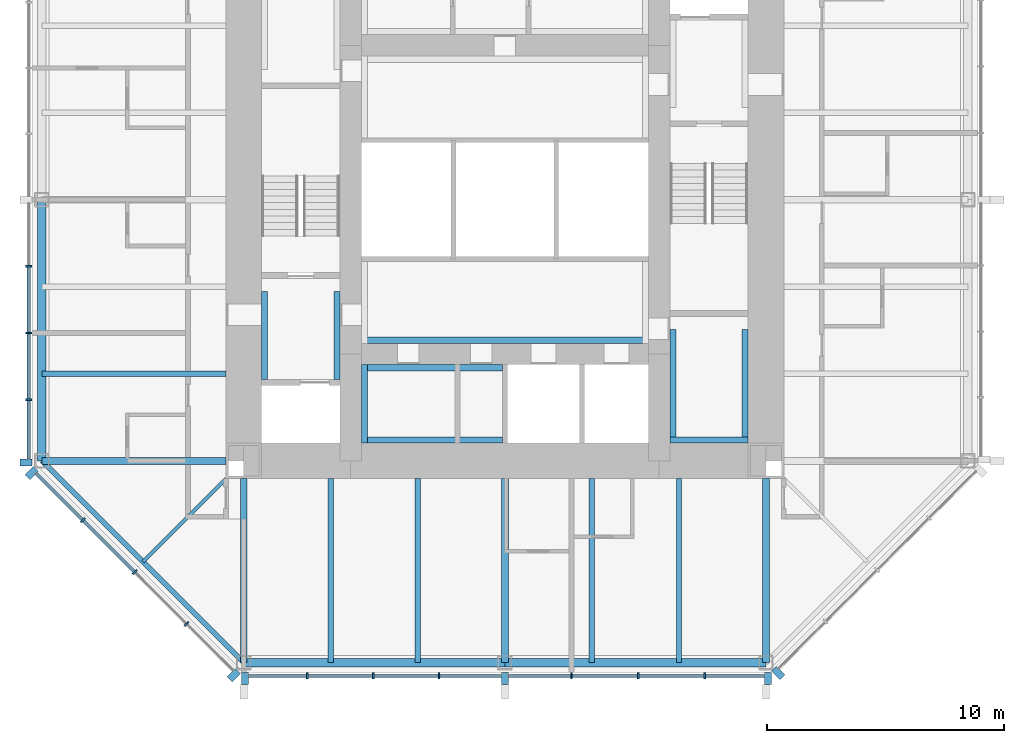
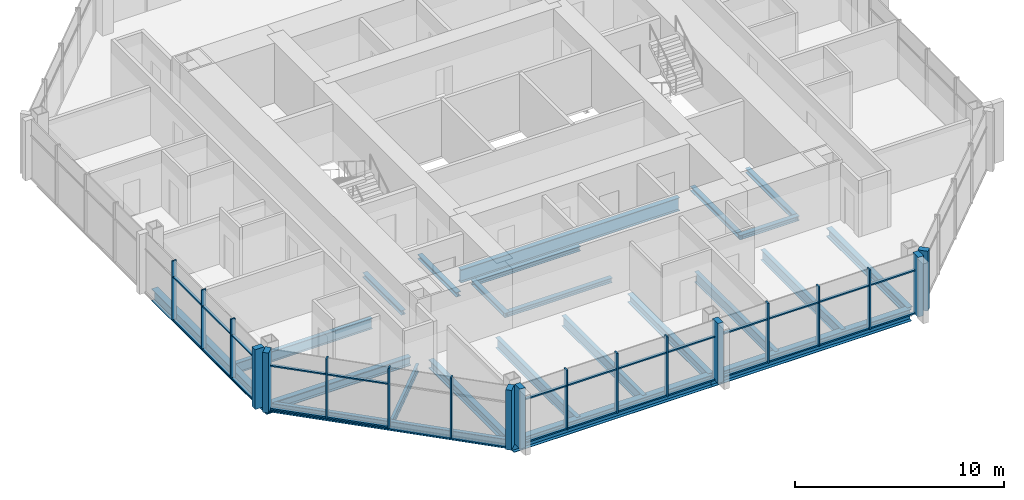
# One storey, part 2 of 11: 45 members, 23 beams, 4 elements without a shape of their own.
"""IFC4 building model written with IfcOpenShell, lengths in metres."""

import ifcopenshell
import ifcopenshell.guid

model = None  # the IFC model being written
_history = None  # IfcOwnerHistory: only IFC2X3 demands one
_inside = {}  # id of a spatial element -> (the spatial element, [elements in it])
_under = {}  # id of a project, library or spatial element -> (it, [spatial elements below it])
_declared = {}  # id of a project -> (the project, [libraries it declares])
_typed = {}  # id of a type object -> (the type object, [elements of that type])
_made_of = {}  # id of a material, layer set ... -> (it, [elements and type objects made of it])


def new_model(schema):
    """Start an empty IFC model of exactly this schema.

    Asked for "IFC4X3", IfcOpenShell would pick the latest addendum, in which some entities
    have other attributes; the version numbers below select the first issue.
    IFC2X3 requires an IfcOwnerHistory on every rooted entity: one is made here for all.
    """
    global model, _history
    if schema == "IFC4X3":
        model = ifcopenshell.file(schema_version=(4, 3, 0, 0))
    else:
        model = ifcopenshell.file(schema=schema)
    _inside.clear()
    _under.clear()
    _declared.clear()
    _typed.clear()
    _made_of.clear()
    _history = None
    if model.schema == "IFC2X3":
        org = make("IfcOrganization", Name="unknown")
        user = make(
            "IfcPersonAndOrganization",
            ThePerson=make("IfcPerson", FamilyName="unknown"),
            TheOrganization=org,
        )
        app = make(
            "IfcApplication",
            ApplicationDeveloper=org,
            Version="unknown",
            ApplicationFullName="unknown",
            ApplicationIdentifier="unknown",
        )
        _history = make(
            "IfcOwnerHistory",
            OwningUser=user,
            OwningApplication=app,
            ChangeAction="ADDED",
            CreationDate=0,
        )
    return model


def make(cls, **values):
    """One entity of the class cls with the attributes given. An attribute that is None is left unset."""
    return model.create_entity(
        cls, **{name: value for name, value in values.items() if value is not None}
    )


def rooted(cls, **values):
    """An entity with a GlobalId (a new one), such as an element, a storey or a relation."""
    return make(cls, GlobalId=ifcopenshell.guid.new(), OwnerHistory=_history, **values)


def si_unit(unit_type, name, prefix=None):
    """IfcSIUnit, for example si_unit("LENGTHUNIT", "METRE", prefix="MILLI")."""
    return make("IfcSIUnit", UnitType=unit_type, Prefix=prefix, Name=name)


def assignment(units):
    """IfcUnitAssignment: the units of a project."""
    return None if units is None else make("IfcUnitAssignment", Units=units)


def point(xyz):
    """IfcCartesianPoint."""
    return None if xyz is None else make("IfcCartesianPoint", Coordinates=xyz)


def direction(xyz):
    """IfcDirection."""
    return None if xyz is None else make("IfcDirection", DirectionRatios=xyz)


def frame(location, z_axis=None, x_axis=None):
    """IfcAxis2Placement3D, a coordinate frame: its origin and axes. An axis left out is left unset."""
    return make(
        "IfcAxis2Placement3D",
        Location=point(location),
        Axis=direction(z_axis),
        RefDirection=direction(x_axis),
    )


def frame_2d(location, x_axis=None):
    """IfcAxis2Placement2D, a coordinate frame in the plane: its origin and x axis."""
    return make(
        "IfcAxis2Placement2D", Location=point(location), RefDirection=direction(x_axis)
    )


def origin():
    """The frame at (0, 0, 0) with its axes left unset."""
    return frame((0.0, 0.0, 0.0))


def origin_2d():
    """The frame at (0, 0) in the plane with its x axis left unset."""
    return frame_2d((0.0, 0.0))


def place(relative_to, where):
    """IfcLocalPlacement: puts the frame where relative to a parent placement (None: the world)."""
    return make(
        "IfcLocalPlacement", PlacementRelTo=relative_to, RelativePlacement=where
    )


def context(
    kind, dimensions, precision=None, world=None, true_north=None, identifier=None
):
    """IfcGeometricRepresentationContext, for example the 3D "Model" context."""
    return make(
        "IfcGeometricRepresentationContext",
        ContextIdentifier=identifier,
        ContextType=kind,
        CoordinateSpaceDimension=dimensions,
        Precision=precision,
        WorldCoordinateSystem=world,
        TrueNorth=true_north,
    )


def subcontext(parent, identifier, kind, view, scale=None):
    """IfcGeometricRepresentationSubContext, for example "Body" below "Model"."""
    return make(
        "IfcGeometricRepresentationSubContext",
        ContextIdentifier=identifier,
        ContextType=kind,
        ParentContext=parent,
        TargetScale=scale,
        TargetView=view,
    )


def project(units=None, contexts=None):
    """IfcProject with its units and contexts."""
    return rooted(
        "IfcProject",
        Name="project",
        RepresentationContexts=contexts,
        UnitsInContext=assignment(units),
    )


def spatial(cls, under=None, at=None, **own):
    """A site, building, storey or space (cls), placed at a placement, below another one or the project."""
    s = rooted(cls, ObjectPlacement=at, **own)
    if under is not None:
        _under.setdefault(under.id(), (under, []))[1].append(s)
    return s


def profile(cls, at=None, kind="AREA", **sizes):
    """A parametric profile (cls). Its sizes go by their IFC names, for example OverallWidth=200.0."""
    return make(cls, ProfileType=kind, Position=at, **sizes)


def rectangle(**sizes):
    """IfcRectangleProfileDef."""
    return profile("IfcRectangleProfileDef", **sizes)


def i_section(**sizes):
    """IfcIShapeProfileDef."""
    return profile("IfcIShapeProfileDef", **sizes)


def extrude(swept, where, along, depth):
    """IfcExtrudedAreaSolid: the profile swept, set in the frame where, extruded along a direction by depth."""
    return make(
        "IfcExtrudedAreaSolid",
        SweptArea=swept,
        Position=where,
        ExtrudedDirection=direction(along),
        Depth=depth,
    )


def shape(context_of_items, identifier, shape_type, items):
    """IfcShapeRepresentation: the items that make up one representation, for example the "Body"."""
    return make(
        "IfcShapeRepresentation",
        ContextOfItems=context_of_items,
        RepresentationIdentifier=identifier,
        RepresentationType=shape_type,
        Items=items,
    )


def material(Name=None, Category=None):
    """IfcMaterial."""
    return make("IfcMaterial", Name=Name, Category=Category)


def material_profile(
    of_material, cross_section, Name=None, Category=None, Priority=None
):
    """IfcMaterialProfile: a cross section and its material."""
    return make(
        "IfcMaterialProfile",
        Name=Name,
        Material=of_material,
        Profile=cross_section,
        Priority=Priority,
        Category=Category,
    )


def profile_set(profiles, Name=None, composite=None):
    """IfcMaterialProfileSet."""
    return make(
        "IfcMaterialProfileSet",
        Name=Name,
        MaterialProfiles=profiles,
        CompositeProfile=composite,
    )


def made_of(thing, what):
    """Note that an element or type object is made of a material, layer set ...; save() writes the relation."""
    if what is not None:
        _made_of.setdefault(what.id(), (what, []))[1].append(thing)
    return thing


def type_object(cls, material=None, **own):
    """A type object (cls), such as IfcWallType, which elements share."""
    return made_of(rooted(cls, **own), material)


def element(
    cls,
    number,
    at=None,
    inside=None,
    cuts=None,
    type_object=None,
    material=None,
    context=None,
    identifier="Body",
    shape_type=None,
    held_by="IfcProductDefinitionShape",
    body=None,
    shapes=None,
    **own,
):
    """One element of the class cls, such as IfcWall. Its Tag is "e" and its number.

    at: its placement. inside: the storey or other place that contains it. cuts: it is an
    opening in that element (IfcRelVoidsElement). A single representation is given by context,
    identifier, shape_type and body (its items); several are given by shapes. held_by: the class
    of the entity that holds the representations. save() writes the other relations.
    """
    e = rooted(cls, Tag="e%d" % number, ObjectPlacement=at, **own)
    if body is not None:
        shapes = [shape(context, identifier, shape_type, body)]
    if shapes is not None:
        e.Representation = make(held_by, Representations=shapes)
    if inside is not None:
        _inside.setdefault(inside.id(), (inside, []))[1].append(e)
    if cuts is not None:
        rooted(
            "IfcRelVoidsElement", RelatingBuildingElement=cuts, RelatedOpeningElement=e
        )
    if type_object is not None:
        _typed.setdefault(type_object.id(), (type_object, []))[1].append(e)
    return made_of(e, material)


def aggregate(whole, parts):
    """IfcRelAggregates: a whole, such as a stair, and the parts it consists of."""
    return rooted("IfcRelAggregates", RelatingObject=whole, RelatedObjects=parts)


def save(model, path):
    """Write the relations noted so far, then the file.

    IfcRelAggregates (storeys below a building ...), IfcRelContainedInSpatialStructure (elements
    in a storey), IfcRelDefinesByType, IfcRelAssociatesMaterial and IfcRelDeclares: one each for
    every whole, place, type object, material and project.
    """
    for whole, parts in _under.values():
        aggregate(whole, parts)
    for where, things in _inside.values():
        rooted(
            "IfcRelContainedInSpatialStructure",
            RelatedElements=things,
            RelatingStructure=where,
        )
    for kind, things in _typed.values():
        rooted("IfcRelDefinesByType", RelatedObjects=things, RelatingType=kind)
    for what, things in _made_of.values():
        rooted("IfcRelAssociatesMaterial", RelatedObjects=things, RelatingMaterial=what)
    for by, libraries in _declared.values():
        rooted("IfcRelDeclares", RelatingContext=by, RelatedDefinitions=libraries)
    model.write(path)


model = new_model("IFC4")

# Units and contexts
model_context = context("Model", 3, precision=1e-05, world=origin(), true_north=direction((0.0, 1.0)))
body_context = subcontext(model_context, "Body", "Model", "MODEL_VIEW")
ifc_project = project(units=[si_unit("LENGTHUNIT", "METRE"), si_unit("AREAUNIT", "SQUARE_METRE"), si_unit("VOLUMEUNIT", "CUBIC_METRE"), si_unit("PLANEANGLEUNIT", "RADIAN"), si_unit("MASSUNIT", "GRAM", prefix="KILO")], contexts=[model_context])

# Site, building, storey
site_placement = place(None, origin())
site = spatial("IfcSite", under=ifc_project, at=site_placement, CompositionType="ELEMENT")
building_placement = place(site_placement, origin())
building = spatial("IfcBuilding", under=site, at=building_placement, Name="Trevanion Tower", CompositionType="ELEMENT")
storey_placement = place(building_placement, frame((0.0, 0.0, 246.699951171875)))
storey = spatial("IfcBuildingStorey", under=building, at=storey_placement, Name="L60", CompositionType="ELEMENT", Elevation=246.699951171875)

# Beams
ifc_material_1 = material(Name="Steel ASTM A992 Grade 50", Category="steel")
ifc_material_profile_1 = material_profile(ifc_material_1, i_section(OverallWidth=0.228271484375, OverallDepth=0.607177734375, WebThickness=0.01123046875, FlangeThickness=0.017333984375, at=origin_2d()), Name="W24X76")
ifc_profile_set_1 = profile_set([ifc_material_profile_1], Name="Steel ASTM A992 Grade 50")
beam_type_1 = type_object("IfcBeamType", Name="B11 W24X76", PredefinedType="BEAM", material=ifc_profile_set_1)
for number, where, z_axis, x_axis, name in (
    (1, (-11.75, -7.333251953125, -0.493408203125), (-1.0, 0.0, 0.0), (0.0, -1.0, 0.0), "B11 L60"),
    (2, (-7.333251953125, -11.75, -0.493408203125), (0.0, -1.0, 0.0), (1.0, 0.0, 0.0), "B11 L60"),
    (3, (-3.666748046875, -11.75, -0.493408203125), (0.0, -1.0, 0.0), (1.0, 0.0, 0.0), "B11 L60"),
    (4, (3.666748046875, -11.75, -0.493408203125), (0.0, -1.0, 0.0), (1.0, 0.0, 0.0), "B11 L60"),
    (5, (7.333251953125, -11.75, -0.493408203125), (0.0, -1.0, 0.0), (1.0, 0.0, 0.0), "B11 L60"),
):
    element("IfcBeam", number, at=place(storey_placement, frame(where, z_axis=z_axis, x_axis=x_axis)), inside=storey, type_object=beam_type_1, Name=name, PredefinedType="BEAM", context=body_context, shape_type="SweptSolid", body=[
        extrude(i_section(OverallWidth=0.228271484375, OverallDepth=0.607177734375, WebThickness=0.01123046875, FlangeThickness=0.017333984375, at=origin_2d()), origin(), (0.0, 0.0, 1.0), 7.75),
    ])
ifc_material_2 = material(Name="Steel ASTM A992 Grade 50", Category="steel")
ifc_material_profile_2 = material_profile(ifc_material_2, i_section(OverallWidth=0.15234375, OverallDepth=0.449462890625, WebThickness=0.007568359375, FlangeThickness=0.0107421875, at=origin_2d()), Name="W18X35")
ifc_profile_set_2 = profile_set([ifc_material_profile_2], Name="Steel ASTM A992 Grade 50")
beam_type_2 = type_object("IfcBeamType", Name="B12 W18X35", PredefinedType="BEAM", material=ifc_profile_set_2)
beam_1_placement = place(storey_placement, frame((-11.75, -11.75, -0.414794921875), z_axis=(-0.707106781187, -0.707106781187, 0.0), x_axis=(0.707106781187, -0.707106781187, 0.0)))
element("IfcBeam", 6, at=beam_1_placement, inside=storey, type_object=beam_type_2, Name="B12 L60", PredefinedType="BEAM", context=body_context, shape_type="SweptSolid", body=[
    extrude(i_section(OverallWidth=0.15234375, OverallDepth=0.449462890625, WebThickness=0.007568359375, FlangeThickness=0.0107421875, at=origin_2d()), origin(), (0.0, 0.0, 1.0), 4.94970703125),
])

# Curtain wall, members
ifc_material_3 = material(Name="Aluminium and glass", Category="aluminium")
curtain_wall_type = type_object("IfcCurtainWallType", Name="CW3 curtain wall", PredefinedType="USERDEFINED", material=ifc_material_3)
curtain_wall_1_placement = place(storey_placement, origin())
curtain_wall_1 = element("IfcCurtainWall", 7, at=curtain_wall_1_placement, inside=storey, type_object=curtain_wall_type, Name="CW3 L60 4", ObjectType="UNITISED CURTAIN WALL", PredefinedType="USERDEFINED")
ifc_material_4 = material(Name="Aluminium extrusion, anodised bronze", Category="aluminium")
ifc_material_profile_3 = material_profile(ifc_material_4, rectangle(XDim=0.074951171875, YDim=0.25, at=origin_2d()), Name="CW3 mullion")
ifc_profile_set_3 = profile_set([ifc_material_profile_3], Name="Aluminium extrusion, anodised bronze")
member_type_1 = type_object("IfcMemberType", Name="CW3 mullion", PredefinedType="MULLION", material=ifc_profile_set_3)
member_1_placement = place(storey_placement, frame((-20.050048828125, -2.806884765625, -0.18994140625), z_axis=(0.0, 0.0, 1.0), x_axis=(0.0, -1.0, 0.0)))
member_1 = element("IfcMember", 8, at=member_1_placement, type_object=member_type_1, Name="CW3 mullion 6", PredefinedType="MULLION", context=body_context, shape_type="SweptSolid", body=[
    extrude(rectangle(XDim=0.074951171875, YDim=0.25, at=origin_2d()), origin(), (0.0, 0.0, 1.0), 3.5),
])
member_2_placement = place(storey_placement, frame((-20.050048828125, -5.614013671875, -0.18994140625), z_axis=(0.0, 0.0, 1.0), x_axis=(0.0, -1.0, 0.0)))
member_2 = element("IfcMember", 9, at=member_2_placement, type_object=member_type_1, Name="CW3 mullion 7", PredefinedType="MULLION", context=body_context, shape_type="SweptSolid", body=[
    extrude(rectangle(XDim=0.074951171875, YDim=0.25, at=origin_2d()), origin(), (0.0, 0.0, 1.0), 3.5),
])
member_3_placement = place(storey_placement, frame((-20.050048828125, -8.4208984375, -0.18994140625), z_axis=(0.0, 0.0, 1.0), x_axis=(0.0, -1.0, 0.0)))
member_3 = element("IfcMember", 10, at=member_3_placement, type_object=member_type_1, Name="CW3 mullion 8", PredefinedType="MULLION", context=body_context, shape_type="SweptSolid", body=[
    extrude(rectangle(XDim=0.074951171875, YDim=0.25, at=origin_2d()), origin(), (0.0, 0.0, 1.0), 3.5),
])

curtain_wall_2_placement = place(storey_placement, origin())
curtain_wall_2 = element("IfcCurtainWall", 11, at=curtain_wall_2_placement, inside=storey, type_object=curtain_wall_type, Name="CW3 L60 5", ObjectType="UNITISED CURTAIN WALL", PredefinedType="USERDEFINED")
member_4_placement = place(storey_placement, frame((-17.775390625, -13.502197265625, -0.18994140625), z_axis=(0.0, 0.0, 1.0), x_axis=(0.707106781187, -0.707106781187, 0.0)))
member_4 = element("IfcMember", 12, at=member_4_placement, type_object=member_type_1, Name="CW3 mullion 2", PredefinedType="MULLION", context=body_context, shape_type="SweptSolid", body=[
    extrude(rectangle(XDim=0.074951171875, YDim=0.25, at=origin_2d()), origin(), (0.0, 0.0, 1.0), 3.5),
])
member_5_placement = place(storey_placement, frame((-15.593017578125, -15.684814453125, -0.18994140625), z_axis=(0.0, 0.0, 1.0), x_axis=(0.707106781187, -0.707106781187, 0.0)))
member_5 = element("IfcMember", 13, at=member_5_placement, type_object=member_type_1, Name="CW3 mullion 3", PredefinedType="MULLION", context=body_context, shape_type="SweptSolid", body=[
    extrude(rectangle(XDim=0.074951171875, YDim=0.25, at=origin_2d()), origin(), (0.0, 0.0, 1.0), 3.5),
])
member_6_placement = place(storey_placement, frame((-13.410400390625, -17.867431640625, -0.18994140625), z_axis=(0.0, 0.0, 1.0), x_axis=(0.707106781187, -0.707106781187, 0.0)))
member_6 = element("IfcMember", 14, at=member_6_placement, type_object=member_type_1, Name="CW3 mullion 4", PredefinedType="MULLION", context=body_context, shape_type="SweptSolid", body=[
    extrude(rectangle(XDim=0.074951171875, YDim=0.25, at=origin_2d()), origin(), (0.0, 0.0, 1.0), 3.5),
])

curtain_wall_3_placement = place(storey_placement, origin())
curtain_wall_3 = element("IfcCurtainWall", 15, at=curtain_wall_3_placement, inside=storey, type_object=curtain_wall_type, Name="CW3 L60 6", ObjectType="UNITISED CURTAIN WALL", PredefinedType="USERDEFINED")
member_7_placement = place(storey_placement, frame((-8.323486328125, -20.050048828125, -0.18994140625), z_axis=(0.0, 0.0, 1.0), x_axis=(1.0, 0.0, 0.0)))
member_7 = element("IfcMember", 16, at=member_7_placement, type_object=member_type_1, Name="CW3 mullion 2", PredefinedType="MULLION", context=body_context, shape_type="SweptSolid", body=[
    extrude(rectangle(XDim=0.074951171875, YDim=0.25, at=origin_2d()), origin(), (0.0, 0.0, 1.0), 3.5),
])
member_8_placement = place(storey_placement, frame((-5.548828125, -20.050048828125, -0.18994140625), z_axis=(0.0, 0.0, 1.0), x_axis=(1.0, 0.0, 0.0)))
member_8 = element("IfcMember", 17, at=member_8_placement, type_object=member_type_1, Name="CW3 mullion 3", PredefinedType="MULLION", context=body_context, shape_type="SweptSolid", body=[
    extrude(rectangle(XDim=0.074951171875, YDim=0.25, at=origin_2d()), origin(), (0.0, 0.0, 1.0), 3.5),
])
member_9_placement = place(storey_placement, frame((-2.7744140625, -20.050048828125, -0.18994140625), z_axis=(0.0, 0.0, 1.0), x_axis=(1.0, 0.0, 0.0)))
member_9 = element("IfcMember", 18, at=member_9_placement, type_object=member_type_1, Name="CW3 mullion 4", PredefinedType="MULLION", context=body_context, shape_type="SweptSolid", body=[
    extrude(rectangle(XDim=0.074951171875, YDim=0.25, at=origin_2d()), origin(), (0.0, 0.0, 1.0), 3.5),
])
member_10_placement = place(storey_placement, frame((2.806884765625, -20.050048828125, -0.18994140625), z_axis=(0.0, 0.0, 1.0), x_axis=(1.0, 0.0, 0.0)))
member_10 = element("IfcMember", 19, at=member_10_placement, type_object=member_type_1, Name="CW3 mullion 6", PredefinedType="MULLION", context=body_context, shape_type="SweptSolid", body=[
    extrude(rectangle(XDim=0.074951171875, YDim=0.25, at=origin_2d()), origin(), (0.0, 0.0, 1.0), 3.5),
])
member_11_placement = place(storey_placement, frame((5.614013671875, -20.050048828125, -0.18994140625), z_axis=(0.0, 0.0, 1.0), x_axis=(1.0, 0.0, 0.0)))
member_11 = element("IfcMember", 20, at=member_11_placement, type_object=member_type_1, Name="CW3 mullion 7", PredefinedType="MULLION", context=body_context, shape_type="SweptSolid", body=[
    extrude(rectangle(XDim=0.074951171875, YDim=0.25, at=origin_2d()), origin(), (0.0, 0.0, 1.0), 3.5),
])
member_12_placement = place(storey_placement, frame((8.4208984375, -20.050048828125, -0.18994140625), z_axis=(0.0, 0.0, 1.0), x_axis=(1.0, 0.0, 0.0)))
member_12 = element("IfcMember", 21, at=member_12_placement, type_object=member_type_1, Name="CW3 mullion 8", PredefinedType="MULLION", context=body_context, shape_type="SweptSolid", body=[
    extrude(rectangle(XDim=0.074951171875, YDim=0.25, at=origin_2d()), origin(), (0.0, 0.0, 1.0), 3.5),
])

# Member
ifc_material_5 = material(Name="Aluminium extrusion, anodised bronze", Category="aluminium")
ifc_material_profile_4 = material_profile(ifc_material_5, rectangle(XDim=0.300048828125, YDim=0.5, at=origin_2d()), Name="CW3 pier mullion")
ifc_profile_set_4 = profile_set([ifc_material_profile_4], Name="Aluminium extrusion, anodised bronze")
member_type_2 = type_object("IfcMemberType", Name="CW3 pier mullion", PredefinedType="MULLION", material=ifc_profile_set_4)
member_13_placement = place(storey_placement, frame((-20.175048828125, -11.077880859375, -0.18994140625), z_axis=(0.0, 0.0, 1.0), x_axis=(0.0, -1.0, 0.0)))
member_13 = element("IfcMember", 22, at=member_13_placement, type_object=member_type_2, Name="CW3 pier mullion 9", PredefinedType="MULLION", context=body_context, shape_type="SweptSolid", body=[
    extrude(rectangle(XDim=0.300048828125, YDim=0.5, at=origin_2d()), origin(), (0.0, 0.0, 1.0), 3.5),
])

member_14_placement = place(storey_placement, frame((-19.9404296875, -11.51416015625, -0.18994140625), z_axis=(0.0, 0.0, 1.0), x_axis=(0.707106781187, -0.707106781187, 0.0)))
member_14 = element("IfcMember", 23, at=member_14_placement, type_object=member_type_2, Name="CW3 pier mullion 1", PredefinedType="MULLION", context=body_context, shape_type="SweptSolid", body=[
    extrude(rectangle(XDim=0.300048828125, YDim=0.5, at=origin_2d()), origin(), (0.0, 0.0, 1.0), 3.5),
])

member_15_placement = place(storey_placement, frame((-11.42236328125, -20.0322265625, -0.18994140625), z_axis=(0.0, 0.0, 1.0), x_axis=(0.707106781187, -0.707106781187, 0.0)))
member_15 = element("IfcMember", 24, at=member_15_placement, type_object=member_type_2, Name="CW3 pier mullion 5", PredefinedType="MULLION", context=body_context, shape_type="SweptSolid", body=[
    extrude(rectangle(XDim=0.300048828125, YDim=0.5, at=origin_2d()), origin(), (0.0, 0.0, 1.0), 3.5),
])

member_16_placement = place(storey_placement, frame((-10.94775390625, -20.175048828125, -0.18994140625), z_axis=(0.0, 0.0, 1.0), x_axis=(1.0, 0.0, 0.0)))
member_16 = element("IfcMember", 25, at=member_16_placement, type_object=member_type_2, Name="CW3 pier mullion 1", PredefinedType="MULLION", context=body_context, shape_type="SweptSolid", body=[
    extrude(rectangle(XDim=0.300048828125, YDim=0.5, at=origin_2d()), origin(), (0.0, 0.0, 1.0), 3.5),
])

member_17_placement = place(storey_placement, frame((0.0, -20.175048828125, -0.18994140625), z_axis=(0.0, 0.0, 1.0), x_axis=(1.0, 0.0, 0.0)))
member_17 = element("IfcMember", 26, at=member_17_placement, type_object=member_type_2, Name="CW3 pier mullion 5", PredefinedType="MULLION", context=body_context, shape_type="SweptSolid", body=[
    extrude(rectangle(XDim=0.300048828125, YDim=0.5, at=origin_2d()), origin(), (0.0, 0.0, 1.0), 3.5),
])

member_18_placement = place(storey_placement, frame((11.077880859375, -20.175048828125, -0.18994140625), z_axis=(0.0, 0.0, 1.0), x_axis=(1.0, 0.0, 0.0)))
member_18 = element("IfcMember", 27, at=member_18_placement, type_object=member_type_2, Name="CW3 pier mullion 9", PredefinedType="MULLION", context=body_context, shape_type="SweptSolid", body=[
    extrude(rectangle(XDim=0.300048828125, YDim=0.5, at=origin_2d()), origin(), (0.0, 0.0, 1.0), 3.5),
])

# Curtain wall, member
curtain_wall_4_placement = place(storey_placement, origin())
curtain_wall_4 = element("IfcCurtainWall", 28, at=curtain_wall_4_placement, inside=storey, type_object=curtain_wall_type, Name="CW3 L60 7", ObjectType="UNITISED CURTAIN WALL", PredefinedType="USERDEFINED")
member_19_placement = place(storey_placement, frame((11.51416015625, -19.9404296875, -0.18994140625), z_axis=(0.0, 0.0, 1.0), x_axis=(0.707106781187, 0.707106781187, 0.0)))
member_19 = element("IfcMember", 29, at=member_19_placement, type_object=member_type_2, Name="CW3 pier mullion 1", PredefinedType="MULLION", context=body_context, shape_type="SweptSolid", body=[
    extrude(rectangle(XDim=0.300048828125, YDim=0.5, at=origin_2d()), origin(), (0.0, 0.0, 1.0), 3.5),
])
aggregate(curtain_wall_4, [member_19])

# Member
ifc_material_6 = material(Name="Aluminium extrusion, anodised bronze", Category="aluminium")
ifc_material_profile_5 = material_profile(ifc_material_6, rectangle(XDim=0.14990234375, YDim=0.074951171875, at=origin_2d()), Name="CW3 transom")
ifc_profile_set_5 = profile_set([ifc_material_profile_5], Name="Aluminium extrusion, anodised bronze")
member_type_3 = type_object("IfcMemberType", Name="CW3 transom", PredefinedType="USERDEFINED", material=ifc_profile_set_5)
member_20_placement = place(storey_placement, frame((-20.050048828125, -2.844482421875, -0.15234375), z_axis=(0.0, -1.0, 0.0), x_axis=(1.0, 0.0, 0.0)))
member_20 = element("IfcMember", 30, at=member_20_placement, type_object=member_type_3, Name="CW3 transom 6.1", ObjectType="TRANSOM", PredefinedType="USERDEFINED", context=body_context, shape_type="SweptSolid", body=[
    extrude(rectangle(XDim=0.14990234375, YDim=0.074951171875, at=origin_2d()), origin(), (0.0, 0.0, 1.0), 2.73193359375),
])

member_21_placement = place(storey_placement, frame((-20.050048828125, -2.844482421875, 2.360107421875), z_axis=(0.0, -1.0, 0.0), x_axis=(1.0, 0.0, 0.0)))
member_21 = element("IfcMember", 31, at=member_21_placement, type_object=member_type_3, Name="CW3 transom 6.2", ObjectType="TRANSOM", PredefinedType="USERDEFINED", context=body_context, shape_type="SweptSolid", body=[
    extrude(rectangle(XDim=0.14990234375, YDim=0.074951171875, at=origin_2d()), origin(), (0.0, 0.0, 1.0), 2.73193359375),
])

member_22_placement = place(storey_placement, frame((-20.050048828125, -5.6513671875, -0.15234375), z_axis=(0.0, -1.0, 0.0), x_axis=(1.0, 0.0, 0.0)))
member_22 = element("IfcMember", 32, at=member_22_placement, type_object=member_type_3, Name="CW3 transom 7.1", ObjectType="TRANSOM", PredefinedType="USERDEFINED", context=body_context, shape_type="SweptSolid", body=[
    extrude(rectangle(XDim=0.14990234375, YDim=0.074951171875, at=origin_2d()), origin(), (0.0, 0.0, 1.0), 2.73193359375),
])

member_23_placement = place(storey_placement, frame((-20.050048828125, -5.6513671875, 2.360107421875), z_axis=(0.0, -1.0, 0.0), x_axis=(1.0, 0.0, 0.0)))
member_23 = element("IfcMember", 33, at=member_23_placement, type_object=member_type_3, Name="CW3 transom 7.2", ObjectType="TRANSOM", PredefinedType="USERDEFINED", context=body_context, shape_type="SweptSolid", body=[
    extrude(rectangle(XDim=0.14990234375, YDim=0.074951171875, at=origin_2d()), origin(), (0.0, 0.0, 1.0), 2.73193359375),
])

member_24_placement = place(storey_placement, frame((-20.050048828125, -8.45849609375, -0.15234375), z_axis=(0.0, -1.0, 0.0), x_axis=(1.0, 0.0, 0.0)))
member_24 = element("IfcMember", 34, at=member_24_placement, type_object=member_type_3, Name="CW3 transom 8.1", ObjectType="TRANSOM", PredefinedType="USERDEFINED", context=body_context, shape_type="SweptSolid", body=[
    extrude(rectangle(XDim=0.14990234375, YDim=0.074951171875, at=origin_2d()), origin(), (0.0, 0.0, 1.0), 2.46923828125),
])

member_25_placement = place(storey_placement, frame((-20.050048828125, -8.45849609375, 2.360107421875), z_axis=(0.0, -1.0, 0.0), x_axis=(1.0, 0.0, 0.0)))
member_25 = element("IfcMember", 35, at=member_25_placement, type_object=member_type_3, Name="CW3 transom 8.2", ObjectType="TRANSOM", PredefinedType="USERDEFINED", context=body_context, shape_type="SweptSolid", body=[
    extrude(rectangle(XDim=0.14990234375, YDim=0.074951171875, at=origin_2d()), origin(), (0.0, 0.0, 1.0), 2.46923828125),
])

aggregate(curtain_wall_1, [member_1, member_2, member_3, member_13, member_20, member_21, member_22, member_23, member_24, member_25])

member_26_placement = place(storey_placement, frame((-19.745849609375, -11.531982421875, -0.15234375), z_axis=(0.707106781187, -0.707106781187, 0.0), x_axis=(0.707106781187, 0.707106781187, 0.0)))
member_26 = element("IfcMember", 36, at=member_26_placement, type_object=member_type_3, Name="CW3 transom 1.1", ObjectType="TRANSOM", PredefinedType="USERDEFINED", context=body_context, shape_type="SweptSolid", body=[
    extrude(rectangle(XDim=0.14990234375, YDim=0.074951171875, at=origin_2d()), origin(), (0.0, 0.0, 1.0), 2.7490234375),
])

member_27_placement = place(storey_placement, frame((-19.745849609375, -11.531982421875, 2.360107421875), z_axis=(0.707106781187, -0.707106781187, 0.0), x_axis=(0.707106781187, 0.707106781187, 0.0)))
member_27 = element("IfcMember", 37, at=member_27_placement, type_object=member_type_3, Name="CW3 transom 1.2", ObjectType="TRANSOM", PredefinedType="USERDEFINED", context=body_context, shape_type="SweptSolid", body=[
    extrude(rectangle(XDim=0.14990234375, YDim=0.074951171875, at=origin_2d()), origin(), (0.0, 0.0, 1.0), 2.7490234375),
])

member_28_placement = place(storey_placement, frame((-17.7490234375, -13.52880859375, -0.15234375), z_axis=(0.707106781187, -0.707106781187, 0.0), x_axis=(0.707106781187, 0.707106781187, 0.0)))
member_28 = element("IfcMember", 38, at=member_28_placement, type_object=member_type_3, Name="CW3 transom 2.1", ObjectType="TRANSOM", PredefinedType="USERDEFINED", context=body_context, shape_type="SweptSolid", body=[
    extrude(rectangle(XDim=0.14990234375, YDim=0.074951171875, at=origin_2d()), origin(), (0.0, 0.0, 1.0), 3.01171875),
])

member_29_placement = place(storey_placement, frame((-17.7490234375, -13.52880859375, 2.360107421875), z_axis=(0.707106781187, -0.707106781187, 0.0), x_axis=(0.707106781187, 0.707106781187, 0.0)))
member_29 = element("IfcMember", 39, at=member_29_placement, type_object=member_type_3, Name="CW3 transom 2.2", ObjectType="TRANSOM", PredefinedType="USERDEFINED", context=body_context, shape_type="SweptSolid", body=[
    extrude(rectangle(XDim=0.14990234375, YDim=0.074951171875, at=origin_2d()), origin(), (0.0, 0.0, 1.0), 3.01171875),
])

aggregate(curtain_wall_2, [member_14, member_4, member_5, member_6, member_15, member_26, member_27, member_28, member_29])

member_30_placement = place(storey_placement, frame((-10.7978515625, -20.050048828125, -0.15234375), z_axis=(1.0, 0.0, 0.0), x_axis=(0.0, 1.0, 0.0)))
member_30 = element("IfcMember", 40, at=member_30_placement, type_object=member_type_3, Name="CW3 transom 1.1", ObjectType="TRANSOM", PredefinedType="USERDEFINED", context=body_context, shape_type="SweptSolid", body=[
    extrude(rectangle(XDim=0.14990234375, YDim=0.074951171875, at=origin_2d()), origin(), (0.0, 0.0, 1.0), 2.43701171875),
])

member_31_placement = place(storey_placement, frame((-10.7978515625, -20.050048828125, 2.360107421875), z_axis=(1.0, 0.0, 0.0), x_axis=(0.0, 1.0, 0.0)))
member_31 = element("IfcMember", 41, at=member_31_placement, type_object=member_type_3, Name="CW3 transom 1.2", ObjectType="TRANSOM", PredefinedType="USERDEFINED", context=body_context, shape_type="SweptSolid", body=[
    extrude(rectangle(XDim=0.14990234375, YDim=0.074951171875, at=origin_2d()), origin(), (0.0, 0.0, 1.0), 2.43701171875),
])

member_32_placement = place(storey_placement, frame((-8.285888671875, -20.050048828125, -0.15234375), z_axis=(1.0, 0.0, 0.0), x_axis=(0.0, 1.0, 0.0)))
member_32 = element("IfcMember", 42, at=member_32_placement, type_object=member_type_3, Name="CW3 transom 2.1", ObjectType="TRANSOM", PredefinedType="USERDEFINED", context=body_context, shape_type="SweptSolid", body=[
    extrude(rectangle(XDim=0.14990234375, YDim=0.074951171875, at=origin_2d()), origin(), (0.0, 0.0, 1.0), 2.699462890625),
])

member_33_placement = place(storey_placement, frame((-8.285888671875, -20.050048828125, 2.360107421875), z_axis=(1.0, 0.0, 0.0), x_axis=(0.0, 1.0, 0.0)))
member_33 = element("IfcMember", 43, at=member_33_placement, type_object=member_type_3, Name="CW3 transom 2.2", ObjectType="TRANSOM", PredefinedType="USERDEFINED", context=body_context, shape_type="SweptSolid", body=[
    extrude(rectangle(XDim=0.14990234375, YDim=0.074951171875, at=origin_2d()), origin(), (0.0, 0.0, 1.0), 2.699462890625),
])

member_34_placement = place(storey_placement, frame((-5.511474609375, -20.050048828125, -0.15234375), z_axis=(1.0, 0.0, 0.0), x_axis=(0.0, 1.0, 0.0)))
member_34 = element("IfcMember", 44, at=member_34_placement, type_object=member_type_3, Name="CW3 transom 3.1", ObjectType="TRANSOM", PredefinedType="USERDEFINED", context=body_context, shape_type="SweptSolid", body=[
    extrude(rectangle(XDim=0.14990234375, YDim=0.074951171875, at=origin_2d()), origin(), (0.0, 0.0, 1.0), 2.699462890625),
])

member_35_placement = place(storey_placement, frame((-5.511474609375, -20.050048828125, 2.360107421875), z_axis=(1.0, 0.0, 0.0), x_axis=(0.0, 1.0, 0.0)))
member_35 = element("IfcMember", 45, at=member_35_placement, type_object=member_type_3, Name="CW3 transom 3.2", ObjectType="TRANSOM", PredefinedType="USERDEFINED", context=body_context, shape_type="SweptSolid", body=[
    extrude(rectangle(XDim=0.14990234375, YDim=0.074951171875, at=origin_2d()), origin(), (0.0, 0.0, 1.0), 2.699462890625),
])

member_36_placement = place(storey_placement, frame((-2.737060546875, -20.050048828125, -0.15234375), z_axis=(1.0, 0.0, 0.0), x_axis=(0.0, 1.0, 0.0)))
member_36 = element("IfcMember", 46, at=member_36_placement, type_object=member_type_3, Name="CW3 transom 4.1", ObjectType="TRANSOM", PredefinedType="USERDEFINED", context=body_context, shape_type="SweptSolid", body=[
    extrude(rectangle(XDim=0.14990234375, YDim=0.074951171875, at=origin_2d()), origin(), (0.0, 0.0, 1.0), 2.587158203125),
])

member_37_placement = place(storey_placement, frame((-2.737060546875, -20.050048828125, 2.360107421875), z_axis=(1.0, 0.0, 0.0), x_axis=(0.0, 1.0, 0.0)))
member_37 = element("IfcMember", 47, at=member_37_placement, type_object=member_type_3, Name="CW3 transom 4.2", ObjectType="TRANSOM", PredefinedType="USERDEFINED", context=body_context, shape_type="SweptSolid", body=[
    extrude(rectangle(XDim=0.14990234375, YDim=0.074951171875, at=origin_2d()), origin(), (0.0, 0.0, 1.0), 2.587158203125),
])

member_38_placement = place(storey_placement, frame((0.14990234375, -20.050048828125, -0.15234375), z_axis=(1.0, 0.0, 0.0), x_axis=(0.0, 1.0, 0.0)))
member_38 = element("IfcMember", 48, at=member_38_placement, type_object=member_type_3, Name="CW3 transom 5.1", ObjectType="TRANSOM", PredefinedType="USERDEFINED", context=body_context, shape_type="SweptSolid", body=[
    extrude(rectangle(XDim=0.14990234375, YDim=0.074951171875, at=origin_2d()), origin(), (0.0, 0.0, 1.0), 2.619384765625),
])

member_39_placement = place(storey_placement, frame((0.14990234375, -20.050048828125, 2.360107421875), z_axis=(1.0, 0.0, 0.0), x_axis=(0.0, 1.0, 0.0)))
member_39 = element("IfcMember", 49, at=member_39_placement, type_object=member_type_3, Name="CW3 transom 5.2", ObjectType="TRANSOM", PredefinedType="USERDEFINED", context=body_context, shape_type="SweptSolid", body=[
    extrude(rectangle(XDim=0.14990234375, YDim=0.074951171875, at=origin_2d()), origin(), (0.0, 0.0, 1.0), 2.619384765625),
])

member_40_placement = place(storey_placement, frame((2.844482421875, -20.050048828125, -0.15234375), z_axis=(1.0, 0.0, 0.0), x_axis=(0.0, 1.0, 0.0)))
member_40 = element("IfcMember", 50, at=member_40_placement, type_object=member_type_3, Name="CW3 transom 6.1", ObjectType="TRANSOM", PredefinedType="USERDEFINED", context=body_context, shape_type="SweptSolid", body=[
    extrude(rectangle(XDim=0.14990234375, YDim=0.074951171875, at=origin_2d()), origin(), (0.0, 0.0, 1.0), 2.73193359375),
])

member_41_placement = place(storey_placement, frame((2.844482421875, -20.050048828125, 2.360107421875), z_axis=(1.0, 0.0, 0.0), x_axis=(0.0, 1.0, 0.0)))
member_41 = element("IfcMember", 51, at=member_41_placement, type_object=member_type_3, Name="CW3 transom 6.2", ObjectType="TRANSOM", PredefinedType="USERDEFINED", context=body_context, shape_type="SweptSolid", body=[
    extrude(rectangle(XDim=0.14990234375, YDim=0.074951171875, at=origin_2d()), origin(), (0.0, 0.0, 1.0), 2.73193359375),
])

member_42_placement = place(storey_placement, frame((5.6513671875, -20.050048828125, -0.15234375), z_axis=(1.0, 0.0, 0.0), x_axis=(0.0, 1.0, 0.0)))
member_42 = element("IfcMember", 52, at=member_42_placement, type_object=member_type_3, Name="CW3 transom 7.1", ObjectType="TRANSOM", PredefinedType="USERDEFINED", context=body_context, shape_type="SweptSolid", body=[
    extrude(rectangle(XDim=0.14990234375, YDim=0.074951171875, at=origin_2d()), origin(), (0.0, 0.0, 1.0), 2.73193359375),
])

member_43_placement = place(storey_placement, frame((5.6513671875, -20.050048828125, 2.360107421875), z_axis=(1.0, 0.0, 0.0), x_axis=(0.0, 1.0, 0.0)))
member_43 = element("IfcMember", 53, at=member_43_placement, type_object=member_type_3, Name="CW3 transom 7.2", ObjectType="TRANSOM", PredefinedType="USERDEFINED", context=body_context, shape_type="SweptSolid", body=[
    extrude(rectangle(XDim=0.14990234375, YDim=0.074951171875, at=origin_2d()), origin(), (0.0, 0.0, 1.0), 2.73193359375),
])

member_44_placement = place(storey_placement, frame((8.45849609375, -20.050048828125, -0.15234375), z_axis=(1.0, 0.0, 0.0), x_axis=(0.0, 1.0, 0.0)))
member_44 = element("IfcMember", 54, at=member_44_placement, type_object=member_type_3, Name="CW3 transom 8.1", ObjectType="TRANSOM", PredefinedType="USERDEFINED", context=body_context, shape_type="SweptSolid", body=[
    extrude(rectangle(XDim=0.14990234375, YDim=0.074951171875, at=origin_2d()), origin(), (0.0, 0.0, 1.0), 2.46923828125),
])

member_45_placement = place(storey_placement, frame((8.45849609375, -20.050048828125, 2.360107421875), z_axis=(1.0, 0.0, 0.0), x_axis=(0.0, 1.0, 0.0)))
member_45 = element("IfcMember", 55, at=member_45_placement, type_object=member_type_3, Name="CW3 transom 8.2", ObjectType="TRANSOM", PredefinedType="USERDEFINED", context=body_context, shape_type="SweptSolid", body=[
    extrude(rectangle(XDim=0.14990234375, YDim=0.074951171875, at=origin_2d()), origin(), (0.0, 0.0, 1.0), 2.46923828125),
])

aggregate(curtain_wall_3, [member_16, member_7, member_8, member_9, member_17, member_10, member_11, member_12, member_18, member_30, member_31, member_32, member_33, member_34, member_35, member_36, member_37, member_38, member_39, member_40, member_41, member_42, member_43, member_44, member_45])

# Beams
ifc_material_7 = material(Name="Steel ASTM A992 Grade 50", Category="steel")
ifc_material_profile_6 = material_profile(ifc_material_7, i_section(OverallWidth=0.28955078125, OverallDepth=0.508056640625, WebThickness=0.022705078125, FlangeThickness=0.040283203125, at=origin_2d()), Name="W18X175")
ifc_profile_set_6 = profile_set([ifc_material_profile_6], Name="Steel ASTM A992 Grade 50")
beam_type_3 = type_object("IfcBeamType", Name="G6 W18X175", PredefinedType="BEAM", material=ifc_profile_set_6)
for number, where, z_axis, x_axis, name in (
    (56, (-11.75, -11.0, -0.44384765625), (-1.0, 0.0, 0.0), (0.0, -1.0, 0.0), "G6 L60"),
    (57, (-11.0, -11.75, -0.44384765625), (0.0, -1.0, 0.0), (1.0, 0.0, 0.0), "G6 L60"),
    (58, (0.0, -11.75, -0.44384765625), (0.0, -1.0, 0.0), (1.0, 0.0, 0.0), "G6 L60"),
    (59, (11.0, -11.75, -0.44384765625), (0.0, -1.0, 0.0), (1.0, 0.0, 0.0), "G6 L60"),
):
    element("IfcBeam", number, at=place(storey_placement, frame(where, z_axis=z_axis, x_axis=x_axis)), inside=storey, type_object=beam_type_3, Name=name, PredefinedType="BEAM", context=body_context, shape_type="SweptSolid", body=[
        extrude(i_section(OverallWidth=0.28955078125, OverallDepth=0.508056640625, WebThickness=0.022705078125, FlangeThickness=0.040283203125, at=origin_2d()), origin(), (0.0, 0.0, 1.0), 7.75),
    ])
ifc_material_8 = material(Name="Steel ASTM A992 Grade 50", Category="steel")
ifc_material_profile_7 = material_profile(ifc_material_8, i_section(OverallWidth=0.256591796875, OverallDepth=0.26416015625, WebThickness=0.011962890625, FlangeThickness=0.01953125, at=origin_2d()), Name="W10X68")
ifc_profile_set_7 = profile_set([ifc_material_profile_7], Name="Steel ASTM A992 Grade 50")
beam_type_4 = type_object("IfcBeamType", Name="LB1 W10X68", PredefinedType="BEAM", material=ifc_profile_set_7)
for number, where, z_axis, x_axis, name in (
    (60, (-10.12158203125, -7.574951171875, -0.33203125), (0.0, 1.0, 0.0), (-1.0, 0.0, 0.0), "LB1 L60"),
    (61, (-7.078369140625, -7.574951171875, -0.33203125), (0.0, 1.0, 0.0), (-1.0, 0.0, 0.0), "LB1 L60"),
):
    element("IfcBeam", number, at=place(storey_placement, frame(where, z_axis=z_axis, x_axis=x_axis)), inside=storey, type_object=beam_type_4, Name=name, PredefinedType="BEAM", context=body_context, shape_type="SweptSolid", body=[
        extrude(i_section(OverallWidth=0.256591796875, OverallDepth=0.26416015625, WebThickness=0.011962890625, FlangeThickness=0.01953125, at=origin_2d()), origin(), (0.0, 0.0, 1.0), 3.699951171875),
    ])
for number, where, z_axis, x_axis, name in (
    (62, (7.078369140625, -10.25, -0.33203125), (0.0, 1.0, 0.0), (-1.0, 0.0, 0.0), "LB1 L60"),
    (63, (10.12158203125, -10.25, -0.33203125), (0.0, 1.0, 0.0), (-1.0, 0.0, 0.0), "LB1 L60"),
):
    element("IfcBeam", number, at=place(storey_placement, frame(where, z_axis=z_axis, x_axis=x_axis)), inside=storey, type_object=beam_type_4, Name=name, PredefinedType="BEAM", context=body_context, shape_type="SweptSolid", body=[
        extrude(i_section(OverallWidth=0.256591796875, OverallDepth=0.26416015625, WebThickness=0.011962890625, FlangeThickness=0.01953125, at=origin_2d()), origin(), (0.0, 0.0, 1.0), 4.77490234375),
    ])
for number, where, z_axis, x_axis, name in (
    (64, (6.949951171875, -10.12158203125, -0.33203125), (1.0, 0.0, 0.0), (0.0, 1.0, 0.0), "LB1 L60"),
    (65, (-5.921630859375, -10.25, -0.33203125), (0.0, 1.0, 0.0), (-1.0, 0.0, 0.0), "LB1 L60"),
):
    element("IfcBeam", number, at=place(storey_placement, frame(where, z_axis=z_axis, x_axis=x_axis)), inside=storey, type_object=beam_type_4, Name=name, PredefinedType="BEAM", context=body_context, shape_type="SweptSolid", body=[
        extrude(i_section(OverallWidth=0.256591796875, OverallDepth=0.26416015625, WebThickness=0.011962890625, FlangeThickness=0.01953125, at=origin_2d()), origin(), (0.0, 0.0, 1.0), 3.300048828125),
    ])
for number, where, z_axis, x_axis, name in (
    (66, (-6.050048828125, -10.12158203125, -0.33203125), (1.0, 0.0, 0.0), (0.0, 1.0, 0.0), "LB1 L60"),
    (67, (-6.050048828125, -7.078369140625, -0.33203125), (1.0, 0.0, 0.0), (0.0, 1.0, 0.0), "LB1 L60"),
):
    element("IfcBeam", number, at=place(storey_placement, frame(where, z_axis=z_axis, x_axis=x_axis)), inside=storey, type_object=beam_type_4, Name=name, PredefinedType="BEAM", context=body_context, shape_type="SweptSolid", body=[
        extrude(i_section(OverallWidth=0.256591796875, OverallDepth=0.26416015625, WebThickness=0.011962890625, FlangeThickness=0.01953125, at=origin_2d()), origin(), (0.0, 0.0, 1.0), 5.949951171875),
    ])
ifc_material_9 = material(Name="Steel ASTM A992 Grade 50", Category="steel")
ifc_material_profile_8 = material_profile(ifc_material_9, i_section(OverallWidth=0.2666015625, OverallDepth=0.76953125, WebThickness=0.015625, FlangeThickness=0.025390625, at=origin_2d()), Name="W30X132")
ifc_profile_set_8 = profile_set([ifc_material_profile_8], Name="Steel ASTM A992 Grade 50")
beam_type_5 = type_object("IfcBeamType", Name="LB3 W30X132", PredefinedType="BEAM", material=ifc_profile_set_8)
beam_2_placement = place(storey_placement, frame((-6.050048828125, -5.91650390625, -0.584716796875), z_axis=(1.0, 0.0, 0.0), x_axis=(0.0, 1.0, 0.0)))
element("IfcBeam", 68, at=beam_2_placement, inside=storey, type_object=beam_type_5, Name="LB3 L60", PredefinedType="BEAM", context=body_context, shape_type="SweptSolid", body=[
    extrude(i_section(OverallWidth=0.2666015625, OverallDepth=0.76953125, WebThickness=0.015625, FlangeThickness=0.025390625, at=origin_2d()), origin(), (0.0, 0.0, 1.0), 12.10009765625),
])
ifc_material_10 = material(Name="Steel ASTM A992 Grade 50", Category="steel")
ifc_material_profile_9 = material_profile(ifc_material_10, i_section(OverallWidth=0.355712890625, OverallDepth=0.696044921875, WebThickness=0.015380859375, FlangeThickness=0.024658203125, at=origin_2d()), Name="W27X146")
ifc_profile_set_9 = profile_set([ifc_material_profile_9], Name="Steel ASTM A992 Grade 50")
beam_type_6 = type_object("IfcBeamType", Name="SB8 W27X146", PredefinedType="SPANDREL", material=ifc_profile_set_9)
for number, where, z_axis, x_axis, name in (
    (69, (-19.5, 0.0, -0.537841796875), (0.0, -1.0, 0.0), (1.0, 0.0, 0.0), "SB8 L60"),
    (70, (-11.0, -19.5, -0.537841796875), (1.0, 0.0, 0.0), (0.0, 1.0, 0.0), "SB8 L60"),
    (71, (0.0, -19.5, -0.537841796875), (1.0, 0.0, 0.0), (0.0, 1.0, 0.0), "SB8 L60"),
):
    element("IfcBeam", number, at=place(storey_placement, frame(where, z_axis=z_axis, x_axis=x_axis)), inside=storey, type_object=beam_type_6, Name=name, PredefinedType="SPANDREL", context=body_context, shape_type="SweptSolid", body=[
        extrude(i_section(OverallWidth=0.355712890625, OverallDepth=0.696044921875, WebThickness=0.015380859375, FlangeThickness=0.024658203125, at=origin_2d()), origin(), (0.0, 0.0, 1.0), 11.0),
    ])
ifc_material_11 = material(Name="Steel ASTM A992 Grade 50", Category="steel")
ifc_material_profile_10 = material_profile(ifc_material_11, i_section(OverallWidth=0.209228515625, OverallDepth=0.533447265625, WebThickness=0.01025390625, FlangeThickness=0.015625, at=origin_2d()), Name="W21X62")
ifc_profile_set_10 = profile_set([ifc_material_profile_10], Name="Steel ASTM A992 Grade 50")
beam_type_7 = type_object("IfcBeamType", Name="SB9 W21X62", PredefinedType="SPANDREL", material=ifc_profile_set_10)
beam_3_placement = place(storey_placement, frame((-19.5, -11.0, -0.45654296875), z_axis=(0.707106781187, -0.707106781187, 0.0), x_axis=(0.707106781187, 0.707106781187, 0.0)))
element("IfcBeam", 72, at=beam_3_placement, inside=storey, type_object=beam_type_7, Name="SB9 L60", PredefinedType="SPANDREL", context=body_context, shape_type="SweptSolid", body=[
    extrude(i_section(OverallWidth=0.209228515625, OverallDepth=0.533447265625, WebThickness=0.01025390625, FlangeThickness=0.015625, at=origin_2d()), origin(), (0.0, 0.0, 1.0), 12.020751953125),
])

save(model, "model.ifc")
